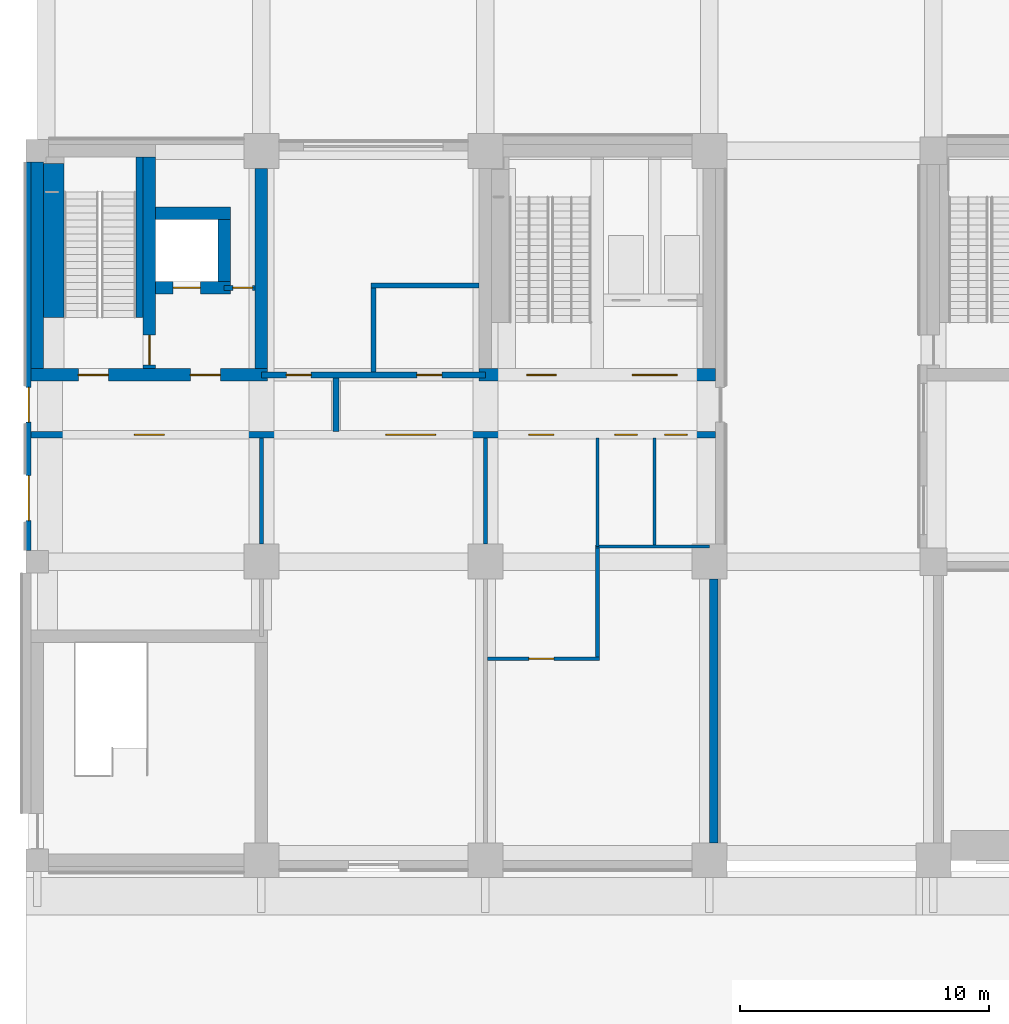
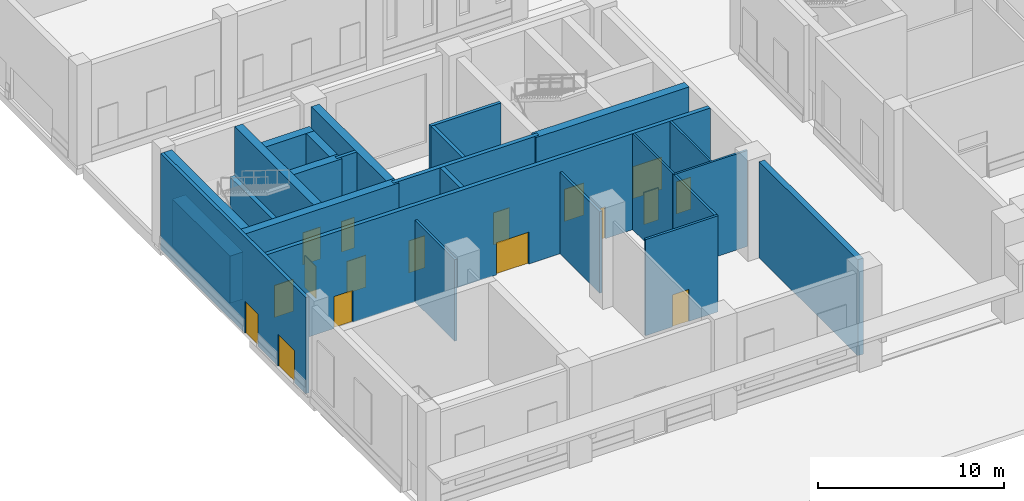
# One storey, part 8 of 35: 25 walls, 17 doors, 17 openings.
"""IFC4 building model written with IfcOpenShell, lengths in metres."""

from ifc_helpers import new_model, si_unit, direction, frame, frame_2d, origin, place, context, subcontext, project, spatial, rectangle, extrude, material, layer, layer_set, type_object, element, fill, save


model = new_model("IFC4")

# Units and contexts
model_context = context("Model", 3, precision=1e-05, world=origin(), true_north=direction((0.0, 1.0)))
body_context = subcontext(model_context, "Body", "Model", "MODEL_VIEW")
ifc_project = project(units=[si_unit("LENGTHUNIT", "METRE"), si_unit("AREAUNIT", "SQUARE_METRE"), si_unit("VOLUMEUNIT", "CUBIC_METRE"), si_unit("PLANEANGLEUNIT", "RADIAN"), si_unit("MASSUNIT", "GRAM", prefix="KILO")], contexts=[model_context])

# Site, building, storey
site_placement = place(None, origin())
site = spatial("IfcSite", under=ifc_project, at=site_placement, CompositionType="ELEMENT")
building_placement = place(site_placement, origin())
building = spatial("IfcBuilding", under=site, at=building_placement, Name="Aurelan Courthouse", CompositionType="ELEMENT")
storey_placement = place(building_placement, origin())
storey = spatial("IfcBuildingStorey", under=building, at=storey_placement, Name="L00", CompositionType="ELEMENT", Elevation=0.0)

# Wall, openings, doors
ifc_material_1 = material(Name="Granite cladding", Category="masonry")
ifc_layer_1 = layer(ifc_material_1, 0.054931640625, Name="Facing")
ifc_material_2 = material(Name="Ventilated cavity")
ifc_layer_2 = layer(ifc_material_2, 0.02490234375, ventilated=True, Name="Ventilated cavity")
ifc_material_3 = material(Name="Mineral wool insulation")
ifc_layer_3 = layer(ifc_material_3, 0.030029296875, Name="Insulation")
ifc_material_4 = material(Name="Concrete C30", Category="concrete")
ifc_layer_4 = layer(ifc_material_4, 0.090087890625, Name="Structure")
ifc_layer_set_1 = layer_set([ifc_layer_1, ifc_layer_2, ifc_layer_3, ifc_layer_4], Name="Concrete C30")
wall_type_1 = type_object("IfcWallType", Name="Courts' Floors granite-faced wall 200", PredefinedType="SOLIDWALL", material=ifc_layer_set_1)
wall_1_placement = place(storey_placement, frame((-0.35009765625, 12.449951171875, 0.0), z_axis=(0.0, 0.0, 1.0), x_axis=(0.0, 1.0, 0.0)))
wall_1 = element("IfcWall", 1, at=wall_1_placement, inside=storey, type_object=wall_type_1, Name="Facade wall FW-V5-L00-010", PredefinedType="SOLIDWALL", context=body_context, shape_type="SweptSolid", body=[
    extrude(rectangle(XDim=15.60009765625, YDim=0.199951171875, at=frame_2d((7.800048828125, 0.0))), origin(), (0.0, 0.0, 1.0), 6.300048828125),
])
opening_1_placement = place(wall_1_placement, frame((1.199951171875, 0.0, 0.0)))
opening_1 = element("IfcOpeningElement", 2, at=opening_1_placement, cuts=wall_1, Name="Opening D-L00-101", PredefinedType="OPENING", context=body_context, shape_type="SweptSolid", body=[
    extrude(rectangle(XDim=1.800048828125, YDim=2.10009765625, at=frame_2d((0.89990234375, 1.050048828125))), frame((0.0, 0.10986328125, 0.0), z_axis=(0.0, -1.0, 0.0), x_axis=(1.0, 0.0, 0.0)), (0.0, 0.0, 1.0), 0.219970703125),
])
opening_2_placement = place(wall_1_placement, frame((5.14990234375, 0.0, 0.0)))
opening_2 = element("IfcOpeningElement", 3, at=opening_2_placement, cuts=wall_1, Name="Opening D-L00-112", PredefinedType="OPENING", context=body_context, shape_type="SweptSolid", body=[
    extrude(rectangle(XDim=1.39990234375, YDim=2.10009765625, at=frame_2d((0.699951171875, 1.050048828125))), frame((0.0, 0.10986328125, 0.0), z_axis=(0.0, -1.0, 0.0), x_axis=(1.0, 0.0, 0.0)), (0.0, 0.0, 1.0), 0.219970703125),
])
ifc_material_5 = material(Name="Bronze-clad timber", Category="wood")
door_type_1 = type_object("IfcDoorType", Name="Bronze double door 1800 x 2100", OperationType="SINGLE_SWING_LEFT", PredefinedType="DOOR", material=ifc_material_5)
door_1_placement = place(opening_1_placement, origin())
door_1 = element("IfcDoor", 4, at=door_1_placement, inside=storey, type_object=door_type_1, Name="Entrance door D-L00-101", OperationType="DOUBLE_DOOR_SINGLE_SWING", OverallHeight=2.10009765625, OverallWidth=1.800048828125, PredefinedType="DOOR", context=body_context, shape_type="SweptSolid", body=[
    extrude(rectangle(XDim=1.800048828125, YDim=2.10009765625, at=frame_2d((0.89990234375, 1.050048828125))), frame((0.0, 0.02490234375, 0.0), z_axis=(0.0, -1.0, 0.0), x_axis=(1.0, 0.0, 0.0)), (0.0, 0.0, 1.0), 0.050048828125),
])
fill(opening_1, door_1)
door_type_2 = type_object("IfcDoorType", Name="Bronze single door 1400 x 2100", OperationType="SINGLE_SWING_LEFT", PredefinedType="DOOR", material=ifc_material_5)
door_2_placement = place(opening_2_placement, origin())
door_2 = element("IfcDoor", 5, at=door_2_placement, inside=storey, type_object=door_type_2, Name="Exit door D-L00-112", OperationType="SINGLE_SWING_RIGHT", OverallHeight=2.10009765625, OverallWidth=1.39990234375, PredefinedType="DOOR", context=body_context, shape_type="SweptSolid", body=[
    extrude(rectangle(XDim=1.39990234375, YDim=2.10009765625, at=frame_2d((0.699951171875, 1.050048828125))), frame((0.0, 0.02490234375, 0.0), z_axis=(0.0, -1.0, 0.0), x_axis=(1.0, 0.0, 0.0)), (0.0, 0.0, 1.0), 0.050048828125),
])
fill(opening_2, door_2)

# Wall
ifc_layer_5 = layer(ifc_material_1, 0.10009765625, Name="Facing")
ifc_layer_6 = layer(ifc_material_2, 0.02490234375, ventilated=True, Name="Ventilated cavity")
ifc_layer_7 = layer(ifc_material_3, 0.050048828125, Name="Insulation")
ifc_layer_8 = layer(ifc_material_4, 0.175048828125, Name="Structure")
ifc_layer_set_2 = layer_set([ifc_layer_5, ifc_layer_6, ifc_layer_7, ifc_layer_8], Name="Concrete C30")
wall_type_2 = type_object("IfcWallType", Name="Courts' Floors granite-faced wall 350", PredefinedType="SOLIDWALL", material=ifc_layer_set_2)
wall_2_placement = place(storey_placement, frame((27.175048828125, 0.699951171875, 0.0), z_axis=(0.0, 0.0, 1.0), x_axis=(0.0, 1.0, 0.0)))
element("IfcWall", 6, at=wall_2_placement, inside=storey, type_object=wall_type_2, Name="Facade wall FW-V5-L00-007", PredefinedType="SOLIDWALL", context=body_context, shape_type="SweptSolid", body=[
    extrude(rectangle(XDim=10.60009765625, YDim=0.35009765625, at=frame_2d((5.300048828125, 0.0))), origin(), (0.0, 0.0, 1.0), 6.300048828125),
])

# Wall, opening, door
ifc_material_6 = material(Name="Gypsum board on metal studs")
ifc_layer_9 = layer(ifc_material_6, 0.14990234375)
ifc_layer_set_3 = layer_set([ifc_layer_9], Name="Gypsum board on metal studs")
wall_type_3 = type_object("IfcWallType", Name="Partition 150 NOT RATED", PredefinedType="PARTITIONING", material=ifc_layer_set_3)
wall_3_placement = place(storey_placement, frame((18.074951171875, 8.10009765625, 0.0), z_axis=(0.0, 0.0, 1.0), x_axis=(1.0, 0.0, 0.0)))
wall_3 = element("IfcWall", 7, at=wall_3_placement, inside=storey, type_object=wall_type_3, Name="Partition L00-001", PredefinedType="PARTITIONING", context=body_context, shape_type="SweptSolid", body=[
    extrude(rectangle(XDim=4.5, YDim=0.14990234375, at=frame_2d((2.25, 0.0))), origin(), (0.0, 0.0, 1.0), 6.300048828125),
])
opening_3_placement = place(wall_3_placement, frame((2.675048828125, 0.0, 0.0), z_axis=(0.0, 0.0, 1.0), x_axis=(-1.0, 0.0, 0.0)))
opening_3 = element("IfcOpeningElement", 8, at=opening_3_placement, cuts=wall_3, Name="Opening D-L00-106", PredefinedType="OPENING", context=body_context, shape_type="SweptSolid", body=[
    extrude(rectangle(XDim=1.0, YDim=2.10009765625, at=frame_2d((0.5, 1.050048828125))), frame((0.0, 0.0849609375, 0.0), z_axis=(0.0, -1.0, 0.0), x_axis=(1.0, 0.0, 0.0)), (0.0, 0.0, 1.0), 0.169921875),
])
ifc_material_7 = material(Name="Timber", Category="wood")
door_type_3 = type_object("IfcDoorType", Name="Single door 1000 x 2100 NOT RATED", OperationType="SINGLE_SWING_LEFT", PredefinedType="DOOR", material=ifc_material_7)
door_3_placement = place(opening_3_placement, origin())
door_3 = element("IfcDoor", 9, at=door_3_placement, inside=storey, type_object=door_type_3, Name="Single door D-L00-106", OperationType="SINGLE_SWING_RIGHT", OverallHeight=2.10009765625, OverallWidth=1.0, PredefinedType="DOOR", context=body_context, shape_type="SweptSolid", body=[
    extrude(rectangle(XDim=1.0, YDim=2.10009765625, at=frame_2d((0.5, 1.050048828125))), frame((0.0, 0.02490234375, 0.0), z_axis=(0.0, -1.0, 0.0), x_axis=(1.0, 0.0, 0.0)), (0.0, 0.0, 1.0), 0.050048828125),
])
fill(opening_3, door_3)

# Walls
for number, where, z_axis, x_axis, name in (
    (10, (9.0, 12.699951171875, 0.0), (0.0, 0.0, 1.0), (0.0, 1.0, 0.0), "Partition L00-058"),
    (11, (18.0, 12.699951171875, 0.0), (0.0, 0.0, 1.0), (0.0, 1.0, 0.0), "Partition L00-065"),
):
    element("IfcWall", number, at=place(storey_placement, frame(where, z_axis=z_axis, x_axis=x_axis)), inside=storey, type_object=wall_type_3, Name=name, PredefinedType="PARTITIONING", context=body_context, shape_type="SweptSolid", body=[
        extrude(rectangle(XDim=4.275146484375, YDim=0.14990234375, at=frame_2d((2.1376953125, 0.0))), origin(), (0.0, 0.0, 1.0), 5.35009765625),
    ])
wall_4_placement = place(storey_placement, frame((22.5, 8.175048828125, 0.0), z_axis=(0.0, 0.0, 1.0), x_axis=(0.0, 1.0, 0.0)))
element("IfcWall", 12, at=wall_4_placement, inside=storey, type_object=wall_type_3, Name="Partition L00-069", PredefinedType="PARTITIONING", context=body_context, shape_type="SweptSolid", body=[
    extrude(rectangle(XDim=4.425048828125, YDim=0.14990234375, at=frame_2d((2.21240234375, 0.0))), origin(), (0.0, 0.0, 1.0), 6.300048828125),
])
ifc_material_8 = material(Name="Masonry block", Category="masonry")
ifc_layer_10 = layer(ifc_material_8, 0.199951171875)
ifc_layer_set_4 = layer_set([ifc_layer_10], Name="Masonry block")
wall_type_4 = type_object("IfcWallType", Name="Plant room wall 200 EI 120", PredefinedType="PARTITIONING", material=ifc_layer_set_4)
wall_5_placement = place(storey_placement, frame((13.39990234375, 23.10009765625, 0.0), z_axis=(0.0, 0.0, 1.0), x_axis=(1.0, 0.0, 0.0)))
element("IfcWall", 13, at=wall_5_placement, inside=storey, type_object=wall_type_4, Name="Plant room wall L00-021", PredefinedType="PARTITIONING", context=body_context, shape_type="SweptSolid", body=[
    extrude(rectangle(XDim=4.35009765625, YDim=0.199951171875, at=frame_2d((2.175048828125, 0.0))), origin(), (0.0, 0.0, 1.0), 6.300048828125),
])
wall_6_placement = place(storey_placement, frame((13.5, 19.625, 0.0), z_axis=(0.0, 0.0, 1.0), x_axis=(0.0, 1.0, 0.0)))
element("IfcWall", 14, at=wall_6_placement, inside=storey, type_object=wall_type_4, Name="Plant room wall L00-063", PredefinedType="PARTITIONING", context=body_context, shape_type="SweptSolid", body=[
    extrude(rectangle(XDim=3.375, YDim=0.199951171875, at=frame_2d((1.6875, 0.0))), origin(), (0.0, 0.0, 1.0), 6.300048828125),
])

# Wall, openings, doors
ifc_material_9 = material(Name="Concrete C50", Category="concrete")
ifc_layer_11 = layer(ifc_material_9, 0.5)
ifc_layer_set_5 = layer_set([ifc_layer_11], Name="Concrete C50")
wall_type_5 = type_object("IfcWallType", Name="RC shear wall 500", PredefinedType="SHEAR", material=ifc_layer_set_5)
wall_7_placement = place(storey_placement, frame((-0.25, 19.5, 0.0), z_axis=(0.0, 0.0, 1.0), x_axis=(1.0, 0.0, 0.0)))
wall_7 = element("IfcWall", 15, at=wall_7_placement, inside=storey, type_object=wall_type_5, Name="Core wall SW-L00-013", PredefinedType="SHEAR", context=body_context, shape_type="SweptSolid", body=[
    extrude(rectangle(XDim=9.5, YDim=0.5, at=frame_2d((4.75, 0.0))), origin(), (0.0, 0.0, 1.0), 6.300048828125),
])
opening_4_placement = place(wall_7_placement, frame((1.89990234375, 0.0, 0.0)))
opening_4 = element("IfcOpeningElement", 16, at=opening_4_placement, cuts=wall_7, Name="Opening D-L00-091", PredefinedType="OPENING", context=body_context, shape_type="SweptSolid", body=[
    extrude(rectangle(XDim=1.199951171875, YDim=2.10009765625, at=frame_2d((0.60009765625, 1.050048828125))), frame((0.0, 0.260009765625, 0.0), z_axis=(0.0, -1.0, 0.0), x_axis=(1.0, 0.0, 0.0)), (0.0, 0.0, 1.0), 0.52001953125),
])
opening_5_placement = place(wall_7_placement, frame((7.599853515625, 0.0, 0.0), z_axis=(0.0, 0.0, 1.0), x_axis=(-1.0, 0.0, 0.0)))
opening_5 = element("IfcOpeningElement", 17, at=opening_5_placement, cuts=wall_7, Name="Opening D-L00-093", PredefinedType="OPENING", context=body_context, shape_type="SweptSolid", body=[
    extrude(rectangle(XDim=1.199951171875, YDim=2.10009765625, at=frame_2d((0.60009765625, 1.050048828125))), frame((0.0, 0.260009765625, 0.0), z_axis=(0.0, -1.0, 0.0), x_axis=(1.0, 0.0, 0.0)), (0.0, 0.0, 1.0), 0.52001953125),
])
ifc_material_10 = material(Name="Steel", Category="steel")
door_type_4 = type_object("IfcDoorType", Name="Single door 1200 x 2100 FD90", OperationType="SINGLE_SWING_LEFT", PredefinedType="DOOR", material=ifc_material_10)
door_4_placement = place(opening_4_placement, origin())
door_4 = element("IfcDoor", 18, at=door_4_placement, inside=storey, type_object=door_type_4, Name="Single door D-L00-091", OperationType="SINGLE_SWING_RIGHT", OverallHeight=2.10009765625, OverallWidth=1.199951171875, PredefinedType="DOOR", context=body_context, shape_type="SweptSolid", body=[
    extrude(rectangle(XDim=1.199951171875, YDim=2.10009765625, at=frame_2d((0.60009765625, 1.050048828125))), frame((0.0, 0.02490234375, 0.0), z_axis=(0.0, -1.0, 0.0), x_axis=(1.0, 0.0, 0.0)), (0.0, 0.0, 1.0), 0.050048828125),
])
fill(opening_4, door_4)
door_5_placement = place(opening_5_placement, origin())
door_5 = element("IfcDoor", 19, at=door_5_placement, inside=storey, type_object=door_type_4, Name="Single door D-L00-093", OperationType="SINGLE_SWING_LEFT", OverallHeight=2.10009765625, OverallWidth=1.199951171875, PredefinedType="DOOR", context=body_context, shape_type="SweptSolid", body=[
    extrude(rectangle(XDim=1.199951171875, YDim=2.10009765625, at=frame_2d((0.60009765625, 1.050048828125))), frame((0.0, 0.02490234375, 0.0), z_axis=(0.0, -1.0, 0.0), x_axis=(1.0, 0.0, 0.0)), (0.0, 0.0, 1.0), 0.050048828125),
])
fill(opening_5, door_5)

wall_8_placement = place(storey_placement, frame((17.75, 19.5, 0.0), z_axis=(0.0, 0.0, 1.0), x_axis=(1.0, 0.0, 0.0)))
wall_8 = element("IfcWall", 20, at=wall_8_placement, inside=storey, type_object=wall_type_5, Name="Core wall SW-L00-014", PredefinedType="SHEAR", context=body_context, shape_type="SweptSolid", body=[
    extrude(rectangle(XDim=9.5, YDim=0.5, at=frame_2d((4.75, 0.0))), origin(), (0.0, 0.0, 1.0), 6.300048828125),
])
opening_6_placement = place(wall_8_placement, frame((1.89990234375, 0.0, 0.0)))
opening_6 = element("IfcOpeningElement", 21, at=opening_6_placement, cuts=wall_8, Name="Opening D-L00-096", PredefinedType="OPENING", context=body_context, shape_type="SweptSolid", body=[
    extrude(rectangle(XDim=1.199951171875, YDim=2.10009765625, at=frame_2d((0.60009765625, 1.050048828125))), frame((0.0, 0.260009765625, 0.0), z_axis=(0.0, -1.0, 0.0), x_axis=(1.0, 0.0, 0.0)), (0.0, 0.0, 1.0), 0.52001953125),
])
opening_7_placement = place(wall_8_placement, frame((7.949951171875, 0.0, 0.0), z_axis=(0.0, 0.0, 1.0), x_axis=(-1.0, 0.0, 0.0)))
opening_7 = element("IfcOpeningElement", 22, at=opening_7_placement, cuts=wall_8, Name="Opening D-L00-097", PredefinedType="OPENING", context=body_context, shape_type="SweptSolid", body=[
    extrude(rectangle(XDim=1.800048828125, YDim=2.10009765625, at=frame_2d((0.89990234375, 1.050048828125))), frame((0.0, 0.260009765625, 0.0), z_axis=(0.0, -1.0, 0.0), x_axis=(1.0, 0.0, 0.0)), (0.0, 0.0, 1.0), 0.52001953125),
])
door_type_5 = type_object("IfcDoorType", Name="Double door 1800 x 2100 FD90", OperationType="DOUBLE_DOOR_SINGLE_SWING", PredefinedType="DOOR", material=ifc_material_10)
door_6_placement = place(opening_7_placement, origin())
door_6 = element("IfcDoor", 23, at=door_6_placement, inside=storey, type_object=door_type_5, Name="Double door D-L00-097", OperationType="DOUBLE_DOOR_SINGLE_SWING", OverallHeight=2.10009765625, OverallWidth=1.800048828125, PredefinedType="DOOR", context=body_context, shape_type="SweptSolid", body=[
    extrude(rectangle(XDim=1.800048828125, YDim=2.10009765625, at=frame_2d((0.89990234375, 1.050048828125))), frame((0.0, 0.02490234375, 0.0), z_axis=(0.0, -1.0, 0.0), x_axis=(1.0, 0.0, 0.0)), (0.0, 0.0, 1.0), 0.050048828125),
])
fill(opening_7, door_6)
door_7_placement = place(opening_6_placement, origin())
door_7 = element("IfcDoor", 24, at=door_7_placement, inside=storey, type_object=door_type_4, Name="Single door D-L00-096", OperationType="SINGLE_SWING_LEFT", OverallHeight=2.10009765625, OverallWidth=1.199951171875, PredefinedType="DOOR", context=body_context, shape_type="SweptSolid", body=[
    extrude(rectangle(XDim=1.199951171875, YDim=2.10009765625, at=frame_2d((0.60009765625, 1.050048828125))), frame((0.0, 0.02490234375, 0.0), z_axis=(0.0, -1.0, 0.0), x_axis=(1.0, 0.0, 0.0)), (0.0, 0.0, 1.0), 0.050048828125),
])
fill(opening_6, door_7)

# Wall
wall_9_placement = place(storey_placement, frame((0.0, 19.75, 0.0), z_axis=(0.0, 0.0, 1.0), x_axis=(0.0, 1.0, 0.0)))
element("IfcWall", 25, at=wall_9_placement, inside=storey, type_object=wall_type_5, Name="Core wall SW-L00-019", PredefinedType="SHEAR", context=body_context, shape_type="SweptSolid", body=[
    extrude(rectangle(XDim=8.300048828125, YDim=0.5, at=frame_2d((4.14990234375, 0.0))), origin(), (0.0, 0.0, 1.0), 6.300048828125),
])

# Wall, opening, door
wall_10_placement = place(storey_placement, frame((4.5, 19.75, 0.0), z_axis=(0.0, 0.0, 1.0), x_axis=(0.0, 1.0, 0.0)))
wall_10 = element("IfcWall", 26, at=wall_10_placement, inside=storey, type_object=wall_type_5, Name="Core wall SW-L00-020", PredefinedType="SHEAR", context=body_context, shape_type="SweptSolid", body=[
    extrude(rectangle(XDim=8.5, YDim=0.5, at=frame_2d((4.25, 0.0))), origin(), (0.0, 0.0, 1.0), 6.300048828125),
])
opening_8_placement = place(wall_10_placement, frame((0.14990234375, 0.0, 0.0)))
opening_8 = element("IfcOpeningElement", 27, at=opening_8_placement, cuts=wall_10, Name="Opening D-L00-092", PredefinedType="OPENING", context=body_context, shape_type="SweptSolid", body=[
    extrude(rectangle(XDim=1.199951171875, YDim=2.10009765625, at=frame_2d((0.60009765625, 1.050048828125))), frame((0.0, 0.260009765625, 0.0), z_axis=(0.0, -1.0, 0.0), x_axis=(1.0, 0.0, 0.0)), (0.0, 0.0, 1.0), 0.52001953125),
])
door_8_placement = place(opening_8_placement, origin())
door_8 = element("IfcDoor", 28, at=door_8_placement, inside=storey, type_object=door_type_4, Name="Single door D-L00-092", OperationType="SINGLE_SWING_LEFT", OverallHeight=2.10009765625, OverallWidth=1.199951171875, PredefinedType="DOOR", context=body_context, shape_type="SweptSolid", body=[
    extrude(rectangle(XDim=1.199951171875, YDim=2.10009765625, at=frame_2d((0.60009765625, 1.050048828125))), frame((0.0, 0.02490234375, 0.0), z_axis=(0.0, -1.0, 0.0), x_axis=(1.0, 0.0, 0.0)), (0.0, 0.0, 1.0), 0.050048828125),
])
fill(opening_8, door_8)

# Wall
wall_11_placement = place(storey_placement, frame((9.0, 19.75, 0.0), z_axis=(0.0, 0.0, 1.0), x_axis=(0.0, 1.0, 0.0)))
element("IfcWall", 29, at=wall_11_placement, inside=storey, type_object=wall_type_5, Name="Core wall SW-L00-021", PredefinedType="SHEAR", context=body_context, shape_type="SweptSolid", body=[
    extrude(rectangle(XDim=8.050048828125, YDim=0.5, at=frame_2d((4.02490234375, 0.0))), origin(), (0.0, 0.0, 1.0), 6.300048828125),
])

# Wall, opening, door
wall_12_placement = place(storey_placement, frame((4.75, 23.0, 0.0), z_axis=(0.0, 0.0, 1.0), x_axis=(1.0, 0.0, 0.0)))
wall_12 = element("IfcWall", 30, at=wall_12_placement, inside=storey, type_object=wall_type_5, Name="Core wall SW-L00-035", PredefinedType="SHEAR", context=body_context, shape_type="SweptSolid", body=[
    extrude(rectangle(XDim=3.0, YDim=0.5, at=frame_2d((1.5, 0.0))), origin(), (0.0, 0.0, 1.0), 6.300048828125),
])
opening_9_placement = place(wall_12_placement, frame((0.699951171875, 0.0, 0.0)))
opening_9 = element("IfcOpeningElement", 31, at=opening_9_placement, cuts=wall_12, Name="Opening LD-V5-F1-L00", PredefinedType="OPENING", context=body_context, shape_type="SweptSolid", body=[
    extrude(rectangle(XDim=1.10009765625, YDim=2.10009765625, at=frame_2d((0.550048828125, 1.050048828125))), frame((0.0, 0.260009765625, 0.0), z_axis=(0.0, -1.0, 0.0), x_axis=(1.0, 0.0, 0.0)), (0.0, 0.0, 1.0), 0.52001953125),
])
door_type_6 = type_object("IfcDoorType", Name="Lift landing door 1100 x 2100 FD90", OperationType="SLIDING_TO_LEFT", PredefinedType="DOOR", material=ifc_material_10)
door_9_placement = place(opening_9_placement, origin())
door_9 = element("IfcDoor", 32, at=door_9_placement, inside=storey, type_object=door_type_6, Name="Lift landing door LD-V5-F1-L00", OperationType="SLIDING_TO_LEFT", OverallHeight=2.10009765625, OverallWidth=1.10009765625, PredefinedType="DOOR", context=body_context, shape_type="SweptSolid", body=[
    extrude(rectangle(XDim=1.10009765625, YDim=2.10009765625, at=frame_2d((0.550048828125, 1.050048828125))), frame((0.0, 0.02490234375, 0.0), z_axis=(0.0, -1.0, 0.0), x_axis=(1.0, 0.0, 0.0)), (0.0, 0.0, 1.0), 0.050048828125),
])
fill(opening_9, door_9)

# Walls
wall_13_placement = place(storey_placement, frame((7.5, 23.25, 0.0), z_axis=(0.0, 0.0, 1.0), x_axis=(0.0, 1.0, 0.0)))
element("IfcWall", 33, at=wall_13_placement, inside=storey, type_object=wall_type_5, Name="Core wall SW-L00-036", PredefinedType="SHEAR", context=body_context, shape_type="SweptSolid", body=[
    extrude(rectangle(XDim=2.5, YDim=0.5, at=frame_2d((1.25, 0.0))), origin(), (0.0, 0.0, 1.0), 6.300048828125),
])
wall_14_placement = place(storey_placement, frame((4.75, 26.0, 0.0), z_axis=(0.0, 0.0, 1.0), x_axis=(1.0, 0.0, 0.0)))
element("IfcWall", 34, at=wall_14_placement, inside=storey, type_object=wall_type_5, Name="Core wall SW-L00-039", PredefinedType="SHEAR", context=body_context, shape_type="SweptSolid", body=[
    extrude(rectangle(XDim=3.0, YDim=0.5, at=frame_2d((1.5, 0.0))), origin(), (0.0, 0.0, 1.0), 6.300048828125),
])

# Wall, opening, door
ifc_layer_12 = layer(ifc_material_4, 0.199951171875)
ifc_layer_set_6 = layer_set([ifc_layer_12], Name="Concrete C30")
wall_type_6 = type_object("IfcWallType", Name="Shaft wall 200 EI 120 load-bearing", PredefinedType="SHEAR", material=ifc_layer_set_6)
wall_15_placement = place(storey_placement, frame((7.5, 23.0, 0.0), z_axis=(0.0, 0.0, 1.0), x_axis=(1.0, 0.0, 0.0)))
wall_15 = element("IfcWall", 35, at=wall_15_placement, inside=storey, type_object=wall_type_6, Name="Shaft wall L00-018", PredefinedType="SHEAR", context=body_context, shape_type="SweptSolid", body=[
    extrude(rectangle(XDim=1.25, YDim=0.199951171875, at=frame_2d((0.625, 0.0))), origin(), (0.0, 0.0, 1.0), 6.300048828125),
])
opening_10_placement = place(wall_15_placement, frame((1.150146484375, 0.0, 0.0), z_axis=(0.0, 0.0, 1.0), x_axis=(-1.0, 0.0, 0.0)))
opening_10 = element("IfcOpeningElement", 36, at=opening_10_placement, cuts=wall_15, Name="Opening D-L00-095", PredefinedType="OPENING", context=body_context, shape_type="SweptSolid", body=[
    extrude(rectangle(XDim=0.800048828125, YDim=2.0, at=frame_2d((0.39990234375, 1.0))), frame((0.0, 0.10986328125, 0.0), z_axis=(0.0, -1.0, 0.0), x_axis=(1.0, 0.0, 0.0)), (0.0, 0.0, 1.0), 0.219970703125),
])
door_type_7 = type_object("IfcDoorType", Name="Single door 800 x 2000 FD90", OperationType="SINGLE_SWING_LEFT", PredefinedType="DOOR", material=ifc_material_10)
door_10_placement = place(opening_10_placement, origin())
door_10 = element("IfcDoor", 37, at=door_10_placement, inside=storey, type_object=door_type_7, Name="Single door D-L00-095", OperationType="SINGLE_SWING_LEFT", OverallHeight=2.0, OverallWidth=0.800048828125, PredefinedType="DOOR", context=body_context, shape_type="SweptSolid", body=[
    extrude(rectangle(XDim=0.800048828125, YDim=2.0, at=frame_2d((0.39990234375, 1.0))), frame((0.0, 0.02490234375, 0.0), z_axis=(0.0, -1.0, 0.0), x_axis=(1.0, 0.0, 0.0)), (0.0, 0.0, 1.0), 0.050048828125),
])
fill(opening_10, door_10)

# Wall, openings, doors
ifc_layer_13 = layer(ifc_material_4, 0.25)
ifc_layer_set_7 = layer_set([ifc_layer_13], Name="Concrete C30")
wall_type_7 = type_object("IfcWallType", Name="Stair enclosure wall 250 EI 120 load-bearing", PredefinedType="SHEAR", material=ifc_layer_set_7)
wall_16_placement = place(storey_placement, frame((-0.25, 17.10009765625, 0.0), z_axis=(0.0, 0.0, 1.0), x_axis=(1.0, 0.0, 0.0)))
wall_16 = element("IfcWall", 38, at=wall_16_placement, inside=storey, type_object=wall_type_7, Name="Stair enclosure wall L00-011", PredefinedType="SHEAR", context=body_context, shape_type="SweptSolid", body=[
    extrude(rectangle(XDim=27.5, YDim=0.25, at=frame_2d((13.75, 0.0))), origin(), (0.0, 0.0, 1.0), 6.300048828125),
])
opening_11_placement = place(wall_16_placement, frame((4.14990234375, 0.0, 0.0)))
opening_11 = element("IfcOpeningElement", 39, at=opening_11_placement, cuts=wall_16, Name="Opening D-L00-102", PredefinedType="OPENING", context=body_context, shape_type="SweptSolid", body=[
    extrude(rectangle(XDim=1.199951171875, YDim=2.10009765625, at=frame_2d((0.60009765625, 1.050048828125))), frame((0.0, 0.135009765625, 0.0), z_axis=(0.0, -1.0, 0.0), x_axis=(1.0, 0.0, 0.0)), (0.0, 0.0, 1.0), 0.27001953125),
])
opening_12_placement = place(wall_16_placement, frame((14.25, 0.0, 0.0)))
opening_12 = element("IfcOpeningElement", 40, at=opening_12_placement, cuts=wall_16, Name="Opening D-L00-104", PredefinedType="OPENING", context=body_context, shape_type="SweptSolid", body=[
    extrude(rectangle(XDim=2.0, YDim=2.10009765625, at=frame_2d((1.0, 1.050048828125))), frame((0.0, 0.135009765625, 0.0), z_axis=(0.0, -1.0, 0.0), x_axis=(1.0, 0.0, 0.0)), (0.0, 0.0, 1.0), 0.27001953125),
])
opening_13_placement = place(wall_16_placement, frame((20.0, 0.0, 0.0)))
opening_13 = element("IfcOpeningElement", 41, at=opening_13_placement, cuts=wall_16, Name="Opening D-L00-105", PredefinedType="OPENING", context=body_context, shape_type="SweptSolid", body=[
    extrude(rectangle(XDim=1.0, YDim=2.10009765625, at=frame_2d((0.5, 1.050048828125))), frame((0.0, 0.135009765625, 0.0), z_axis=(0.0, -1.0, 0.0), x_axis=(1.0, 0.0, 0.0)), (0.0, 0.0, 1.0), 0.27001953125),
])
opening_14_placement = place(wall_16_placement, frame((23.449951171875, 0.0, 0.0)))
opening_14 = element("IfcOpeningElement", 42, at=opening_14_placement, cuts=wall_16, Name="Opening D-L00-107", PredefinedType="OPENING", context=body_context, shape_type="SweptSolid", body=[
    extrude(rectangle(XDim=0.89990234375, YDim=2.10009765625, at=frame_2d((0.449951171875, 1.050048828125))), frame((0.0, 0.135009765625, 0.0), z_axis=(0.0, -1.0, 0.0), x_axis=(1.0, 0.0, 0.0)), (0.0, 0.0, 1.0), 0.27001953125),
])
opening_15_placement = place(wall_16_placement, frame((25.449951171875, 0.0, 0.0)))
opening_15 = element("IfcOpeningElement", 43, at=opening_15_placement, cuts=wall_16, Name="Opening D-L00-108", PredefinedType="OPENING", context=body_context, shape_type="SweptSolid", body=[
    extrude(rectangle(XDim=0.89990234375, YDim=2.10009765625, at=frame_2d((0.449951171875, 1.050048828125))), frame((0.0, 0.135009765625, 0.0), z_axis=(0.0, -1.0, 0.0), x_axis=(1.0, 0.0, 0.0)), (0.0, 0.0, 1.0), 0.27001953125),
])
door_type_8 = type_object("IfcDoorType", Name="Double door 1200 x 2100 FD90", OperationType="DOUBLE_DOOR_SINGLE_SWING", PredefinedType="DOOR", material=ifc_material_10)
door_11_placement = place(opening_11_placement, origin())
door_11 = element("IfcDoor", 44, at=door_11_placement, inside=storey, type_object=door_type_8, Name="Double door D-L00-102", OperationType="DOUBLE_DOOR_SINGLE_SWING", OverallHeight=2.10009765625, OverallWidth=1.199951171875, PredefinedType="DOOR", context=body_context, shape_type="SweptSolid", body=[
    extrude(rectangle(XDim=1.199951171875, YDim=2.10009765625, at=frame_2d((0.60009765625, 1.050048828125))), frame((0.0, 0.02490234375, 0.0), z_axis=(0.0, -1.0, 0.0), x_axis=(1.0, 0.0, 0.0)), (0.0, 0.0, 1.0), 0.050048828125),
])
fill(opening_11, door_11)
door_type_9 = type_object("IfcDoorType", Name="Double door 2000 x 2100 FD90", OperationType="DOUBLE_DOOR_SINGLE_SWING", PredefinedType="DOOR", material=ifc_material_10)
door_12_placement = place(opening_12_placement, origin())
door_12 = element("IfcDoor", 45, at=door_12_placement, inside=storey, type_object=door_type_9, Name="Double door D-L00-104", OperationType="DOUBLE_DOOR_SINGLE_SWING", OverallHeight=2.10009765625, OverallWidth=2.0, PredefinedType="DOOR", context=body_context, shape_type="SweptSolid", body=[
    extrude(rectangle(XDim=2.0, YDim=2.10009765625, at=frame_2d((1.0, 1.050048828125))), frame((0.0, 0.02490234375, 0.0), z_axis=(0.0, -1.0, 0.0), x_axis=(1.0, 0.0, 0.0)), (0.0, 0.0, 1.0), 0.050048828125),
])
fill(opening_12, door_12)
door_type_10 = type_object("IfcDoorType", Name="Single door 1000 x 2100 FD90", OperationType="SINGLE_SWING_LEFT", PredefinedType="DOOR", material=ifc_material_10)
door_13_placement = place(opening_13_placement, origin())
door_13 = element("IfcDoor", 46, at=door_13_placement, inside=storey, type_object=door_type_10, Name="Single door D-L00-105", OperationType="SINGLE_SWING_RIGHT", OverallHeight=2.10009765625, OverallWidth=1.0, PredefinedType="DOOR", context=body_context, shape_type="SweptSolid", body=[
    extrude(rectangle(XDim=1.0, YDim=2.10009765625, at=frame_2d((0.5, 1.050048828125))), frame((0.0, 0.02490234375, 0.0), z_axis=(0.0, -1.0, 0.0), x_axis=(1.0, 0.0, 0.0)), (0.0, 0.0, 1.0), 0.050048828125),
])
fill(opening_13, door_13)
door_type_11 = type_object("IfcDoorType", Name="Single door 900 x 2100 FD90", OperationType="SINGLE_SWING_LEFT", PredefinedType="DOOR", material=ifc_material_10)
door_14_placement = place(opening_14_placement, origin())
door_14 = element("IfcDoor", 47, at=door_14_placement, inside=storey, type_object=door_type_11, Name="Single door D-L00-107", OperationType="SINGLE_SWING_RIGHT", OverallHeight=2.10009765625, OverallWidth=0.89990234375, PredefinedType="DOOR", context=body_context, shape_type="SweptSolid", body=[
    extrude(rectangle(XDim=0.89990234375, YDim=2.10009765625, at=frame_2d((0.449951171875, 1.050048828125))), frame((0.0, 0.02490234375, 0.0), z_axis=(0.0, -1.0, 0.0), x_axis=(1.0, 0.0, 0.0)), (0.0, 0.0, 1.0), 0.050048828125),
])
fill(opening_14, door_14)
door_15_placement = place(opening_15_placement, origin())
door_15 = element("IfcDoor", 48, at=door_15_placement, inside=storey, type_object=door_type_11, Name="Single door D-L00-108", OperationType="SINGLE_SWING_RIGHT", OverallHeight=2.10009765625, OverallWidth=0.89990234375, PredefinedType="DOOR", context=body_context, shape_type="SweptSolid", body=[
    extrude(rectangle(XDim=0.89990234375, YDim=2.10009765625, at=frame_2d((0.449951171875, 1.050048828125))), frame((0.0, 0.02490234375, 0.0), z_axis=(0.0, -1.0, 0.0), x_axis=(1.0, 0.0, 0.0)), (0.0, 0.0, 1.0), 0.050048828125),
])
fill(opening_15, door_15)

wall_17_placement = place(storey_placement, frame((9.0, 19.5, 0.0), z_axis=(0.0, 0.0, 1.0), x_axis=(1.0, 0.0, 0.0)))
wall_17 = element("IfcWall", 49, at=wall_17_placement, inside=storey, type_object=wall_type_7, Name="Stair enclosure wall L00-014", PredefinedType="SHEAR", context=body_context, shape_type="SweptSolid", body=[
    extrude(rectangle(XDim=9.0, YDim=0.25, at=frame_2d((4.5, 0.0))), origin(), (0.0, 0.0, 1.0), 6.300048828125),
])
opening_16_placement = place(wall_17_placement, frame((2.0, 0.0, 0.0), z_axis=(0.0, 0.0, 1.0), x_axis=(-1.0, 0.0, 0.0)))
opening_16 = element("IfcOpeningElement", 50, at=opening_16_placement, cuts=wall_17, Name="Opening D-L00-109", PredefinedType="OPENING", context=body_context, shape_type="SweptSolid", body=[
    extrude(rectangle(XDim=1.0, YDim=2.10009765625, at=frame_2d((0.5, 1.050048828125))), frame((0.0, 0.135009765625, 0.0), z_axis=(0.0, -1.0, 0.0), x_axis=(1.0, 0.0, 0.0)), (0.0, 0.0, 1.0), 0.27001953125),
])
opening_17_placement = place(wall_17_placement, frame((7.25, 0.0, 0.0), z_axis=(0.0, 0.0, 1.0), x_axis=(-1.0, 0.0, 0.0)))
opening_17 = element("IfcOpeningElement", 51, at=opening_17_placement, cuts=wall_17, Name="Opening D-L00-110", PredefinedType="OPENING", context=body_context, shape_type="SweptSolid", body=[
    extrude(rectangle(XDim=1.0, YDim=2.10009765625, at=frame_2d((0.5, 1.050048828125))), frame((0.0, 0.135009765625, 0.0), z_axis=(0.0, -1.0, 0.0), x_axis=(1.0, 0.0, 0.0)), (0.0, 0.0, 1.0), 0.27001953125),
])
door_16_placement = place(opening_16_placement, origin())
door_16 = element("IfcDoor", 52, at=door_16_placement, inside=storey, type_object=door_type_10, Name="Single door D-L00-109", OperationType="SINGLE_SWING_LEFT", OverallHeight=2.10009765625, OverallWidth=1.0, PredefinedType="DOOR", context=body_context, shape_type="SweptSolid", body=[
    extrude(rectangle(XDim=1.0, YDim=2.10009765625, at=frame_2d((0.5, 1.050048828125))), frame((0.0, 0.02490234375, 0.0), z_axis=(0.0, -1.0, 0.0), x_axis=(1.0, 0.0, 0.0)), (0.0, 0.0, 1.0), 0.050048828125),
])
fill(opening_16, door_16)
door_17_placement = place(opening_17_placement, origin())
door_17 = element("IfcDoor", 53, at=door_17_placement, inside=storey, type_object=door_type_10, Name="Single door D-L00-110", OperationType="SINGLE_SWING_RIGHT", OverallHeight=2.10009765625, OverallWidth=1.0, PredefinedType="DOOR", context=body_context, shape_type="SweptSolid", body=[
    extrude(rectangle(XDim=1.0, YDim=2.10009765625, at=frame_2d((0.5, 1.050048828125))), frame((0.0, 0.02490234375, 0.0), z_axis=(0.0, -1.0, 0.0), x_axis=(1.0, 0.0, 0.0)), (0.0, 0.0, 1.0), 0.050048828125),
])
fill(opening_17, door_17)

# Walls
wall_18_placement = place(storey_placement, frame((12.0, 17.22509765625, 0.0), z_axis=(0.0, 0.0, 1.0), x_axis=(0.0, 1.0, 0.0)))
element("IfcWall", 54, at=wall_18_placement, inside=storey, type_object=wall_type_7, Name="Stair enclosure wall L00-062", PredefinedType="SHEAR", context=body_context, shape_type="SweptSolid", body=[
    extrude(rectangle(XDim=2.14990234375, YDim=0.25, at=frame_2d((1.074951171875, 0.0))), origin(), (0.0, 0.0, 1.0), 6.300048828125),
])
ifc_layer_14 = layer(ifc_material_4, 0.2900390625)
ifc_layer_set_8 = layer_set([ifc_layer_14], Name="Concrete C30")
wall_type_8 = type_object("IfcWallType", Name="Stair well wall 290 EI 120 load-bearing", PredefinedType="SHEAR", material=ifc_layer_set_8)
wall_19_placement = place(storey_placement, frame((4.10498046875, 21.81005859375, 0.0), z_axis=(0.0, 0.0, 1.0), x_axis=(0.0, 1.0, 0.0)))
element("IfcWall", 55, at=wall_19_placement, inside=storey, type_object=wall_type_8, Name="Stair well wall ST-5B-L00 B", PredefinedType="SHEAR", context=body_context, shape_type="SweptSolid", body=[
    extrude(rectangle(XDim=6.43994140625, YDim=0.2900390625, at=frame_2d((3.219970703125, 0.0))), origin(), (0.0, 0.0, 1.0), 3.10009765625),
])
ifc_layer_15 = layer(ifc_material_4, 0.81005859375)
ifc_layer_set_9 = layer_set([ifc_layer_15], Name="Concrete C30")
wall_type_9 = type_object("IfcWallType", Name="Stair well wall 810 EI 120 load-bearing", PredefinedType="SHEAR", material=ifc_layer_set_9)
wall_20_placement = place(storey_placement, frame((0.655029296875, 21.81005859375, 0.0), z_axis=(0.0, 0.0, 1.0), x_axis=(0.0, 1.0, 0.0)))
element("IfcWall", 56, at=wall_20_placement, inside=storey, type_object=wall_type_9, Name="Stair well wall ST-5B-L00 A", PredefinedType="SHEAR", context=body_context, shape_type="SweptSolid", body=[
    extrude(rectangle(XDim=6.18994140625, YDim=0.81005859375, at=frame_2d((3.094970703125, 0.0))), origin(), (0.0, 0.0, 1.0), 3.10009765625),
])
ifc_material_11 = material(Name="Moisture-resistant board on metal studs")
ifc_layer_16 = layer(ifc_material_11, 0.125)
ifc_layer_set_10 = layer_set([ifc_layer_16], Name="Moisture-resistant board on metal studs")
wall_type_10 = type_object("IfcWallType", Name="Wet-area partition 125 NOT RATED", PredefinedType="PARTITIONING", material=ifc_layer_set_10)
wall_21_placement = place(storey_placement, frame((22.425048828125, 12.60009765625, 0.0), z_axis=(0.0, 0.0, 1.0), x_axis=(1.0, 0.0, 0.0)))
element("IfcWall", 57, at=wall_21_placement, inside=storey, type_object=wall_type_10, Name="Wet-area partition L00-006", PredefinedType="PARTITIONING", context=body_context, shape_type="SweptSolid", body=[
    extrude(rectangle(XDim=4.574951171875, YDim=0.125, at=frame_2d((2.28759765625, 0.0))), origin(), (0.0, 0.0, 1.0), 6.300048828125),
])
wall_22_placement = place(storey_placement, frame((22.5, 12.60009765625, 0.0), z_axis=(0.0, 0.0, 1.0), x_axis=(0.0, 1.0, 0.0)))
element("IfcWall", 58, at=wall_22_placement, inside=storey, type_object=wall_type_10, Name="Wet-area partition L00-070", PredefinedType="PARTITIONING", context=body_context, shape_type="SweptSolid", body=[
    extrude(rectangle(XDim=4.375, YDim=0.125, at=frame_2d((2.1875, 0.0))), origin(), (0.0, 0.0, 1.0), 6.300048828125),
])
wall_23_placement = place(storey_placement, frame((24.800048828125, 12.66259765625, 0.0), z_axis=(0.0, 0.0, 1.0), x_axis=(0.0, 1.0, 0.0)))
element("IfcWall", 59, at=wall_23_placement, inside=storey, type_object=wall_type_10, Name="Wet-area partition L00-071", PredefinedType="PARTITIONING", context=body_context, shape_type="SweptSolid", body=[
    extrude(rectangle(XDim=4.3125, YDim=0.125, at=frame_2d((2.15625, 0.0))), origin(), (0.0, 0.0, 1.0), 6.300048828125),
])

save(model, "model.ifc")
